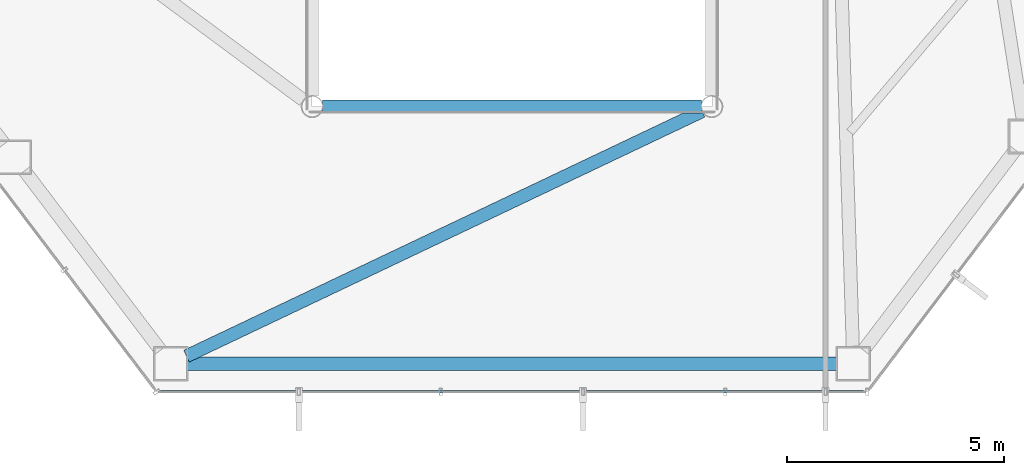
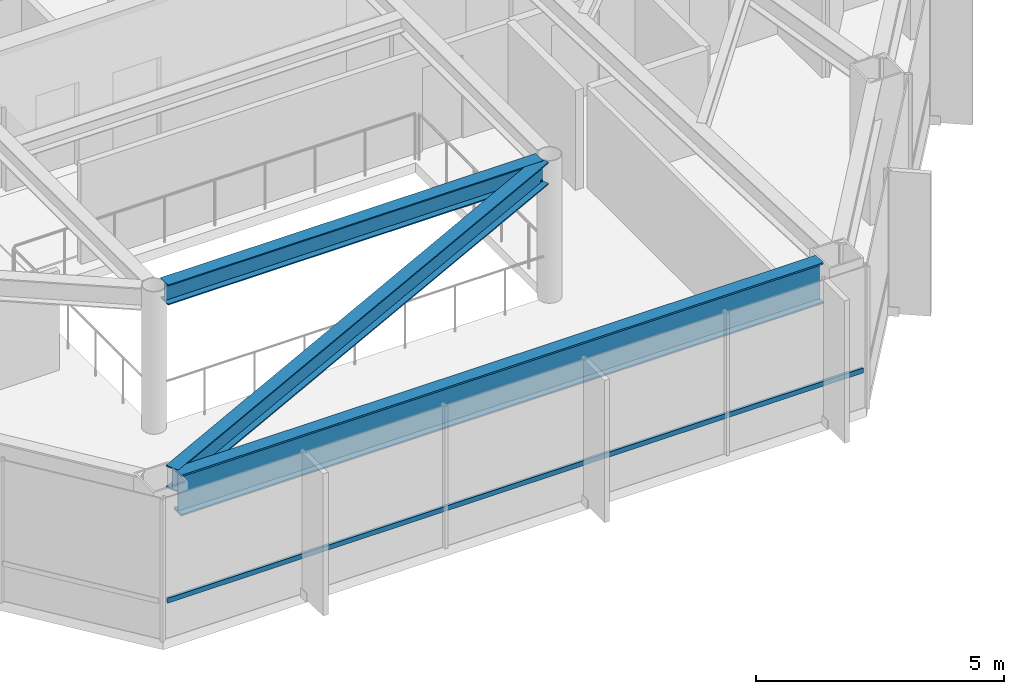
# One storey, part 7 of 28: 3 beams, 1 member, 1 element without a shape of its own.
"""IFC4 building model written with IfcOpenShell, lengths in metres."""

from ifc_helpers import new_model, si_unit, direction, frame, origin, origin_2d, place, context, subcontext, project, spatial, hollow_rectangle, i_section, extrude, material, layer, layer_set, material_profile, profile_set, type_object, element, aggregate, save


model = new_model("IFC4")

# Units and contexts
model_context = context("Model", 3, precision=1e-05, world=origin(), true_north=direction((0.0, 1.0)))
body_context = subcontext(model_context, "Body", "Model", "MODEL_VIEW")
ifc_project = project(units=[si_unit("LENGTHUNIT", "METRE"), si_unit("AREAUNIT", "SQUARE_METRE"), si_unit("VOLUMEUNIT", "CUBIC_METRE"), si_unit("PLANEANGLEUNIT", "RADIAN"), si_unit("MASSUNIT", "GRAM", prefix="KILO")], contexts=[model_context])

# Site, building, storey
site_placement = place(None, origin())
site = spatial("IfcSite", under=ifc_project, at=site_placement, CompositionType="ELEMENT")
building_placement = place(site_placement, origin())
building = spatial("IfcBuilding", under=site, at=building_placement, Name="Zarrinselat Tower", CompositionType="ELEMENT")
storey_placement = place(building_placement, frame((0.0, 0.0, 149.60009765625)))
storey = spatial("IfcBuildingStorey", under=building, at=storey_placement, Name="L36", CompositionType="ELEMENT", Elevation=149.60009765625)

# Beams
ifc_material_1 = material(Name="Steel S355J2", Category="steel")
ifc_material_profile_1 = material_profile(ifc_material_1, i_section(OverallWidth=0.300048828125, OverallDepth=0.5, WebThickness=0.014404296875, FlangeThickness=0.028076171875, at=origin_2d()), Name="HEB 500")
ifc_profile_set_1 = profile_set([ifc_material_profile_1], Name="Steel S355J2")
beam_type_1 = type_object("IfcBeamType", Name="BM-HEB500", PredefinedType="BEAM", material=ifc_profile_set_1)
beam_1_placement = place(storey_placement, frame((34.0400390625, 24.39990234375, 3.25), z_axis=(1.0, 0.0, 0.0), x_axis=(0.0, 1.0, 0.0)))
element("IfcBeam", 1, at=beam_1_placement, inside=storey, type_object=beam_type_1, Name="L36 Atrium Edge Beam S", PredefinedType="BEAM", context=body_context, shape_type="SweptSolid", body=[
    extrude(i_section(OverallWidth=0.300048828125, OverallDepth=0.5, WebThickness=0.014404296875, FlangeThickness=0.028076171875, at=origin_2d()), origin(), (0.0, 0.0, 1.0), 8.719970703125),
])
ifc_material_2 = material(Name="Steel S355J2", Category="steel")
ifc_material_profile_2 = material_profile(ifc_material_2, i_section(OverallWidth=0.300048828125, OverallDepth=0.550048828125, WebThickness=0.014892578125, FlangeThickness=0.029052734375, at=origin_2d()), Name="HEB 550")
ifc_profile_set_2 = profile_set([ifc_material_profile_2], Name="Steel S355J2")
beam_type_2 = type_object("IfcBeamType", Name="BM-HEB550", PredefinedType="BEAM", material=ifc_profile_set_2)
beam_2_placement = place(storey_placement, frame((30.905517578125, 18.654052734375, 3.224853515625), z_axis=(0.903246178465, 0.429122757597, 0.0), x_axis=(-0.429122757597, 0.903246178465, 0.0)))
element("IfcBeam", 2, at=beam_2_placement, inside=storey, type_object=beam_type_2, Name="L36 Radial Primary Girder RG10", PredefinedType="BEAM", context=body_context, shape_type="SweptSolid", body=[
    extrude(i_section(OverallWidth=0.300048828125, OverallDepth=0.550048828125, WebThickness=0.014892578125, FlangeThickness=0.029052734375, at=origin_2d()), origin(), (0.0, 0.0, 1.0), 13.139892578125),
])
ifc_material_3 = material(Name="Steel S460M", Category="steel")
ifc_material_profile_3 = material_profile(ifc_material_3, i_section(OverallWidth=0.302001953125, OverallDepth=1.008056640625, WebThickness=0.02099609375, FlangeThickness=0.0400390625, at=origin_2d()), Name="HEM 1000")
ifc_profile_set_3 = profile_set([ifc_material_profile_3], Name="Steel S460M")
beam_type_3 = type_object("IfcBeamType", Name="BM-HEM1000", PredefinedType="BEAM", material=ifc_profile_set_3)
beam_3_placement = place(storey_placement, frame((30.930419921875, 18.4814453125, 2.995849609375), z_axis=(1.0, 0.0, 0.0), x_axis=(0.0, 1.0, 0.0)))
element("IfcBeam", 3, at=beam_3_placement, inside=storey, type_object=beam_type_3, Name="L36 Perimeter Spandrel Girder SP10", PredefinedType="BEAM", context=body_context, shape_type="SweptSolid", body=[
    extrude(i_section(OverallWidth=0.302001953125, OverallDepth=1.008056640625, WebThickness=0.02099609375, FlangeThickness=0.0400390625, at=origin_2d()), origin(), (0.0, 0.0, 1.0), 14.93896484375),
])

# Curtain wall, member
ifc_material_4 = material(Name="Extruded Aluminium Alloy EN AW-6063 T6", Category="aluminium")
ifc_layer = layer(ifc_material_4, 0.175048828125)
ifc_layer_set = layer_set([ifc_layer], Name="Extruded Aluminium Alloy EN AW-6063 T6")
curtain_wall_type = type_object("IfcCurtainWallType", Name="CWS-HTL", PredefinedType="NOTDEFINED", material=ifc_layer_set)
curtain_wall_placement = place(storey_placement, origin())
curtain_wall = element("IfcCurtainWall", 4, at=curtain_wall_placement, inside=storey, type_object=curtain_wall_type, Name="L36 Unitised Curtain Wall CW-L36-E04", PredefinedType="NOTDEFINED")
ifc_material_5 = material(Name="Extruded Aluminium Alloy EN AW-6063 T6", Category="aluminium")
ifc_material_profile_4 = material_profile(ifc_material_5, hollow_rectangle(XDim=0.06005859375, YDim=0.1201171875, WallThickness=0.00390625, at=origin_2d()), Name="RHS 120x60x4")
ifc_profile_set_4 = profile_set([ifc_material_profile_4], Name="Extruded Aluminium Alloy EN AW-6063 T6")
member_type = type_object("IfcMemberType", Name="MEM-CW-TRN2", PredefinedType="USERDEFINED", material=ifc_profile_set_4)
member_placement = place(storey_placement, frame((30.3095703125, 17.83154296875, 0.949951171875), z_axis=(1.0, 0.0, 0.0), x_axis=(0.0, 1.0, 0.0)))
member = element("IfcMember", 5, at=member_placement, type_object=member_type, Name="CW-L36-E04 Transom 1", ObjectType="TRANSOM", PredefinedType="USERDEFINED", context=body_context, shape_type="SweptSolid", body=[
    extrude(hollow_rectangle(XDim=0.06005859375, YDim=0.1201171875, WallThickness=0.00390625, at=origin_2d()), origin(), (0.0, 0.0, 1.0), 16.180908203125),
])
aggregate(curtain_wall, [member])

save(model, "model.ifc")
